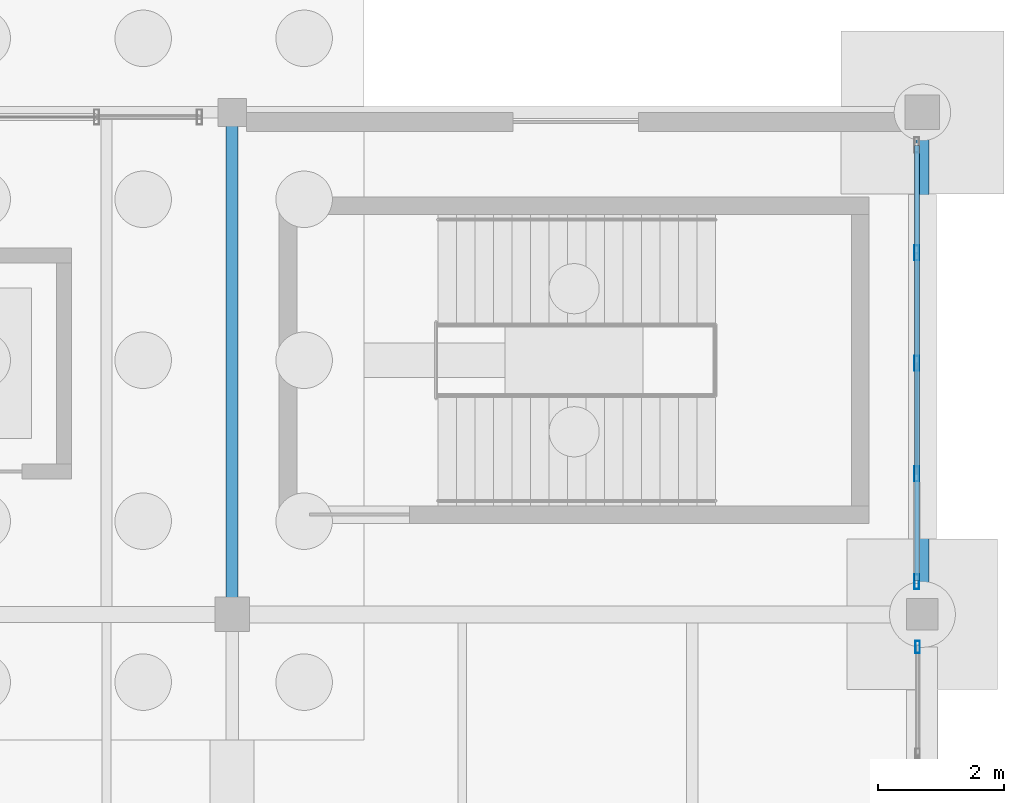
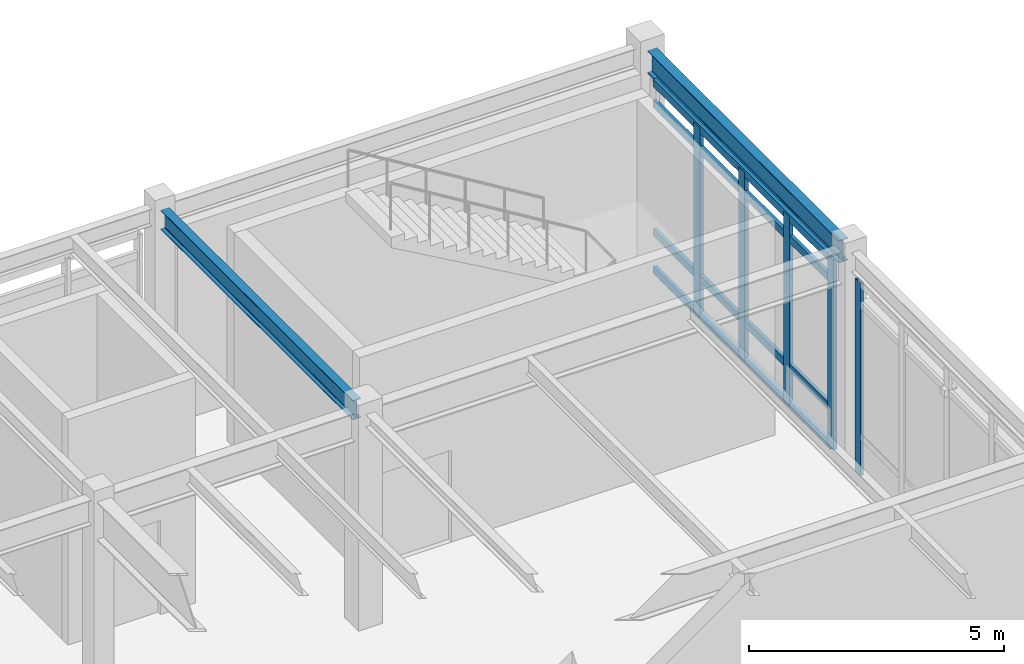
# One storey, part 137 of 203: 9 members, 2 beams, 2 elements without a shape of their own.
"""IFC4 building model written with IfcOpenShell, lengths in metres."""

import ifcopenshell
import ifcopenshell.guid

model = None  # the IFC model being written
_history = None  # IfcOwnerHistory: only IFC2X3 demands one
_inside = {}  # id of a spatial element -> (the spatial element, [elements in it])
_under = {}  # id of a project, library or spatial element -> (it, [spatial elements below it])
_declared = {}  # id of a project -> (the project, [libraries it declares])
_typed = {}  # id of a type object -> (the type object, [elements of that type])
_made_of = {}  # id of a material, layer set ... -> (it, [elements and type objects made of it])


def new_model(schema):
    """Start an empty IFC model of exactly this schema.

    Asked for "IFC4X3", IfcOpenShell would pick the latest addendum, in which some entities
    have other attributes; the version numbers below select the first issue.
    IFC2X3 requires an IfcOwnerHistory on every rooted entity: one is made here for all.
    """
    global model, _history
    if schema == "IFC4X3":
        model = ifcopenshell.file(schema_version=(4, 3, 0, 0))
    else:
        model = ifcopenshell.file(schema=schema)
    _inside.clear()
    _under.clear()
    _declared.clear()
    _typed.clear()
    _made_of.clear()
    _history = None
    if model.schema == "IFC2X3":
        org = make("IfcOrganization", Name="unknown")
        user = make(
            "IfcPersonAndOrganization",
            ThePerson=make("IfcPerson", FamilyName="unknown"),
            TheOrganization=org,
        )
        app = make(
            "IfcApplication",
            ApplicationDeveloper=org,
            Version="unknown",
            ApplicationFullName="unknown",
            ApplicationIdentifier="unknown",
        )
        _history = make(
            "IfcOwnerHistory",
            OwningUser=user,
            OwningApplication=app,
            ChangeAction="ADDED",
            CreationDate=0,
        )
    return model


def make(cls, **values):
    """One entity of the class cls with the attributes given. An attribute that is None is left unset."""
    return model.create_entity(
        cls, **{name: value for name, value in values.items() if value is not None}
    )


def rooted(cls, **values):
    """An entity with a GlobalId (a new one), such as an element, a storey or a relation."""
    return make(cls, GlobalId=ifcopenshell.guid.new(), OwnerHistory=_history, **values)


def si_unit(unit_type, name, prefix=None):
    """IfcSIUnit, for example si_unit("LENGTHUNIT", "METRE", prefix="MILLI")."""
    return make("IfcSIUnit", UnitType=unit_type, Prefix=prefix, Name=name)


def assignment(units):
    """IfcUnitAssignment: the units of a project."""
    return None if units is None else make("IfcUnitAssignment", Units=units)


def point(xyz):
    """IfcCartesianPoint."""
    return None if xyz is None else make("IfcCartesianPoint", Coordinates=xyz)


def direction(xyz):
    """IfcDirection."""
    return None if xyz is None else make("IfcDirection", DirectionRatios=xyz)


def frame(location, z_axis=None, x_axis=None):
    """IfcAxis2Placement3D, a coordinate frame: its origin and axes. An axis left out is left unset."""
    return make(
        "IfcAxis2Placement3D",
        Location=point(location),
        Axis=direction(z_axis),
        RefDirection=direction(x_axis),
    )


def frame_2d(location, x_axis=None):
    """IfcAxis2Placement2D, a coordinate frame in the plane: its origin and x axis."""
    return make(
        "IfcAxis2Placement2D", Location=point(location), RefDirection=direction(x_axis)
    )


def origin():
    """The frame at (0, 0, 0) with its axes left unset."""
    return frame((0.0, 0.0, 0.0))


def origin_2d():
    """The frame at (0, 0) in the plane with its x axis left unset."""
    return frame_2d((0.0, 0.0))


def place(relative_to, where):
    """IfcLocalPlacement: puts the frame where relative to a parent placement (None: the world)."""
    return make(
        "IfcLocalPlacement", PlacementRelTo=relative_to, RelativePlacement=where
    )


def context(
    kind, dimensions, precision=None, world=None, true_north=None, identifier=None
):
    """IfcGeometricRepresentationContext, for example the 3D "Model" context."""
    return make(
        "IfcGeometricRepresentationContext",
        ContextIdentifier=identifier,
        ContextType=kind,
        CoordinateSpaceDimension=dimensions,
        Precision=precision,
        WorldCoordinateSystem=world,
        TrueNorth=true_north,
    )


def subcontext(parent, identifier, kind, view, scale=None):
    """IfcGeometricRepresentationSubContext, for example "Body" below "Model"."""
    return make(
        "IfcGeometricRepresentationSubContext",
        ContextIdentifier=identifier,
        ContextType=kind,
        ParentContext=parent,
        TargetScale=scale,
        TargetView=view,
    )


def project(units=None, contexts=None):
    """IfcProject with its units and contexts."""
    return rooted(
        "IfcProject",
        Name="project",
        RepresentationContexts=contexts,
        UnitsInContext=assignment(units),
    )


def spatial(cls, under=None, at=None, **own):
    """A site, building, storey or space (cls), placed at a placement, below another one or the project."""
    s = rooted(cls, ObjectPlacement=at, **own)
    if under is not None:
        _under.setdefault(under.id(), (under, []))[1].append(s)
    return s


def profile(cls, at=None, kind="AREA", **sizes):
    """A parametric profile (cls). Its sizes go by their IFC names, for example OverallWidth=200.0."""
    return make(cls, ProfileType=kind, Position=at, **sizes)


def hollow_rectangle(**sizes):
    """IfcRectangleHollowProfileDef."""
    return profile("IfcRectangleHollowProfileDef", **sizes)


def i_section(**sizes):
    """IfcIShapeProfileDef."""
    return profile("IfcIShapeProfileDef", **sizes)


def extrude(swept, where, along, depth):
    """IfcExtrudedAreaSolid: the profile swept, set in the frame where, extruded along a direction by depth."""
    return make(
        "IfcExtrudedAreaSolid",
        SweptArea=swept,
        Position=where,
        ExtrudedDirection=direction(along),
        Depth=depth,
    )


def shape(context_of_items, identifier, shape_type, items):
    """IfcShapeRepresentation: the items that make up one representation, for example the "Body"."""
    return make(
        "IfcShapeRepresentation",
        ContextOfItems=context_of_items,
        RepresentationIdentifier=identifier,
        RepresentationType=shape_type,
        Items=items,
    )


def material(Name=None, Category=None):
    """IfcMaterial."""
    return make("IfcMaterial", Name=Name, Category=Category)


def material_profile(
    of_material, cross_section, Name=None, Category=None, Priority=None
):
    """IfcMaterialProfile: a cross section and its material."""
    return make(
        "IfcMaterialProfile",
        Name=Name,
        Material=of_material,
        Profile=cross_section,
        Priority=Priority,
        Category=Category,
    )


def profile_set(profiles, Name=None, composite=None):
    """IfcMaterialProfileSet."""
    return make(
        "IfcMaterialProfileSet",
        Name=Name,
        MaterialProfiles=profiles,
        CompositeProfile=composite,
    )


def made_of(thing, what):
    """Note that an element or type object is made of a material, layer set ...; save() writes the relation."""
    if what is not None:
        _made_of.setdefault(what.id(), (what, []))[1].append(thing)
    return thing


def type_object(cls, material=None, **own):
    """A type object (cls), such as IfcWallType, which elements share."""
    return made_of(rooted(cls, **own), material)


def element(
    cls,
    number,
    at=None,
    inside=None,
    cuts=None,
    type_object=None,
    material=None,
    context=None,
    identifier="Body",
    shape_type=None,
    held_by="IfcProductDefinitionShape",
    body=None,
    shapes=None,
    **own,
):
    """One element of the class cls, such as IfcWall. Its Tag is "e" and its number.

    at: its placement. inside: the storey or other place that contains it. cuts: it is an
    opening in that element (IfcRelVoidsElement). A single representation is given by context,
    identifier, shape_type and body (its items); several are given by shapes. held_by: the class
    of the entity that holds the representations. save() writes the other relations.
    """
    e = rooted(cls, Tag="e%d" % number, ObjectPlacement=at, **own)
    if body is not None:
        shapes = [shape(context, identifier, shape_type, body)]
    if shapes is not None:
        e.Representation = make(held_by, Representations=shapes)
    if inside is not None:
        _inside.setdefault(inside.id(), (inside, []))[1].append(e)
    if cuts is not None:
        rooted(
            "IfcRelVoidsElement", RelatingBuildingElement=cuts, RelatedOpeningElement=e
        )
    if type_object is not None:
        _typed.setdefault(type_object.id(), (type_object, []))[1].append(e)
    return made_of(e, material)


def aggregate(whole, parts):
    """IfcRelAggregates: a whole, such as a stair, and the parts it consists of."""
    return rooted("IfcRelAggregates", RelatingObject=whole, RelatedObjects=parts)


def save(model, path):
    """Write the relations noted so far, then the file.

    IfcRelAggregates (storeys below a building ...), IfcRelContainedInSpatialStructure (elements
    in a storey), IfcRelDefinesByType, IfcRelAssociatesMaterial and IfcRelDeclares: one each for
    every whole, place, type object, material and project.
    """
    for whole, parts in _under.values():
        aggregate(whole, parts)
    for where, things in _inside.values():
        rooted(
            "IfcRelContainedInSpatialStructure",
            RelatedElements=things,
            RelatingStructure=where,
        )
    for kind, things in _typed.values():
        rooted("IfcRelDefinesByType", RelatedObjects=things, RelatingType=kind)
    for what, things in _made_of.values():
        rooted("IfcRelAssociatesMaterial", RelatedObjects=things, RelatingMaterial=what)
    for by, libraries in _declared.values():
        rooted("IfcRelDeclares", RelatingContext=by, RelatedDefinitions=libraries)
    model.write(path)


model = new_model("IFC4")

# Units and contexts
model_context = context("Model", 3, precision=1e-05, world=origin(), true_north=direction((0.0, 1.0)))
body_context = subcontext(model_context, "Body", "Model", "MODEL_VIEW")
ifc_project = project(units=[si_unit("LENGTHUNIT", "METRE"), si_unit("AREAUNIT", "SQUARE_METRE"), si_unit("VOLUMEUNIT", "CUBIC_METRE"), si_unit("PLANEANGLEUNIT", "RADIAN"), si_unit("MASSUNIT", "GRAM", prefix="KILO"), si_unit("THERMODYNAMICTEMPERATUREUNIT", "KELVIN"), si_unit("POWERUNIT", "WATT")], contexts=[model_context])

# Site, building, storey
site_placement = place(None, origin())
site = spatial("IfcSite", under=ifc_project, at=site_placement, CompositionType="ELEMENT")
building_placement = place(site_placement, origin())
building = spatial("IfcBuilding", under=site, at=building_placement, Name="Tepalcoro Natatorium and Aquatics Centre", CompositionType="ELEMENT")
storey_placement = place(building_placement, origin())
storey = spatial("IfcBuildingStorey", under=building, at=storey_placement, Name="L00", CompositionType="ELEMENT", Elevation=0.0)

# Beam
ifc_material_1 = material(Name="Steel ASTM A992 Grade 50 (Fy 345 MPa)", Category="steel")
ifc_material_profile_1 = material_profile(ifc_material_1, i_section(OverallWidth=0.19091796875, OverallDepth=0.45703125, WebThickness=0.009033203125, FlangeThickness=0.013916015625, FilletRadius=0.013916015625, at=origin_2d()), Name="W18X50")
ifc_profile_set_1 = profile_set([ifc_material_profile_1], Name="Steel ASTM A992 Grade 50 (Fy 345 MPa)")
beam_type_1 = type_object("IfcBeamType", Name="BM_W18x50", PredefinedType="BEAM", material=ifc_profile_set_1)
beam_1_placement = place(storey_placement, frame((165.0, 110.260009765625, 4.896484375), z_axis=(0.0, 1.0, 0.0), x_axis=(-1.0, 0.0, 0.0)))
element("IfcBeam", 1, at=beam_1_placement, inside=storey, type_object=beam_type_1, Name="V5 L00 Grid Girder Y", PredefinedType="BEAM", context=body_context, shape_type="SweptSolid", body=[
    extrude(i_section(OverallWidth=0.19091796875, OverallDepth=0.45703125, WebThickness=0.009033203125, FlangeThickness=0.013916015625, FilletRadius=0.013916015625, at=origin_2d()), origin(), (0.0, 0.0, 1.0), 7.530029296875),
])

# Curtain wall, member
ifc_material_2 = material(Name="Bronze-Anodised Extruded Aluminium Alloy EN AW-6063 T6", Category="aluminium")
curtain_wall_type_1 = type_object("IfcCurtainWallType", Name="CW_LEAN_T2_EW", PredefinedType="USERDEFINED", material=ifc_material_2)
curtain_wall_1_placement = place(storey_placement, origin())
curtain_wall_1 = element("IfcCurtainWall", 2, at=curtain_wall_1_placement, inside=storey, type_object=curtain_wall_type_1, Name="V5 L00 E Unitised Curtain Wall Bay 3", ObjectType="FACETED SOLAR GLAZING", PredefinedType="USERDEFINED")
ifc_material_profile_2 = material_profile(ifc_material_2, hollow_rectangle(XDim=0.070068359375, YDim=0.199951171875, WallThickness=0.0048828125, at=origin_2d()), Name="AL70X200X5")
ifc_profile_set_2 = profile_set([ifc_material_profile_2], Name="Bronze-Anodised Extruded Aluminium Alloy EN AW-6063 T6")
member_type_1 = type_object("IfcMemberType", Name="CW_MUL_70x200", PredefinedType="MULLION", material=ifc_profile_set_2)
member_1_placement = place(storey_placement, frame((175.923828125, 109.47998046875, 0.02001953125), z_axis=(0.0, 0.0, 1.0), x_axis=(1.0, 0.0, 0.0)))
member_1 = element("IfcMember", 3, at=member_1_placement, type_object=member_type_1, Name="CW_LEAN_T2_EW Curtain Wall Mullion", PredefinedType="MULLION", context=body_context, shape_type="SweptSolid", body=[
    extrude(hollow_rectangle(XDim=0.070068359375, YDim=0.199951171875, WallThickness=0.0048828125, at=origin_2d()), origin(), (0.0, 0.0, 1.0), 4.60986328125),
])
aggregate(curtain_wall_1, [member_1])

# Curtain wall, members
curtain_wall_type_2 = type_object("IfcCurtainWallType", Name="CW_V1_PLINTH", PredefinedType="USERDEFINED", material=ifc_material_2)
curtain_wall_2_placement = place(storey_placement, origin())
curtain_wall_2 = element("IfcCurtainWall", 4, at=curtain_wall_2_placement, inside=storey, type_object=curtain_wall_type_2, Name="V5 L00 E Unitised Curtain Wall Bay 4", ObjectType="UNITISED STOREFRONT", PredefinedType="USERDEFINED")
ifc_material_profile_3 = material_profile(ifc_material_2, hollow_rectangle(XDim=0.080078125, YDim=0.239990234375, WallThickness=0.0048828125, at=origin_2d()), Name="AL80X240X5")
ifc_profile_set_3 = profile_set([ifc_material_profile_3], Name="Bronze-Anodised Extruded Aluminium Alloy EN AW-6063 T6")
member_type_2 = type_object("IfcMemberType", Name="CW_MUL_80x240", PredefinedType="MULLION", material=ifc_profile_set_3)
member_2_placement = place(storey_placement, frame((175.909912109375, 110.52001953125, 0.02001953125), z_axis=(0.0, 0.0, 1.0), x_axis=(1.0, 0.0, 0.0)))
member_2 = element("IfcMember", 5, at=member_2_placement, type_object=member_type_2, Name="CW_V1_PLINTH Curtain Wall Mullion", PredefinedType="MULLION", context=body_context, shape_type="SweptSolid", body=[
    extrude(hollow_rectangle(XDim=0.080078125, YDim=0.239990234375, WallThickness=0.0048828125, at=origin_2d()), origin(), (0.0, 0.0, 1.0), 4.533935546875),
])
member_3_placement = place(storey_placement, frame((175.909912109375, 112.239990234375, 0.02001953125), z_axis=(0.0, 0.0, 1.0), x_axis=(1.0, 0.0, 0.0)))
member_3 = element("IfcMember", 6, at=member_3_placement, type_object=member_type_2, Name="CW_V1_PLINTH Curtain Wall Mullion", PredefinedType="MULLION", context=body_context, shape_type="SweptSolid", body=[
    extrude(hollow_rectangle(XDim=0.080078125, YDim=0.239990234375, WallThickness=0.0048828125, at=origin_2d()), origin(), (0.0, 0.0, 1.0), 4.533935546875),
])
member_4_placement = place(storey_placement, frame((175.909912109375, 114.0, 0.02001953125), z_axis=(0.0, 0.0, 1.0), x_axis=(1.0, 0.0, 0.0)))
member_4 = element("IfcMember", 7, at=member_4_placement, type_object=member_type_2, Name="CW_V1_PLINTH Curtain Wall Mullion", PredefinedType="MULLION", context=body_context, shape_type="SweptSolid", body=[
    extrude(hollow_rectangle(XDim=0.080078125, YDim=0.239990234375, WallThickness=0.0048828125, at=origin_2d()), origin(), (0.0, 0.0, 1.0), 4.533935546875),
])
member_5_placement = place(storey_placement, frame((175.909912109375, 115.760009765625, 0.02001953125), z_axis=(0.0, 0.0, 1.0), x_axis=(1.0, 0.0, 0.0)))
member_5 = element("IfcMember", 8, at=member_5_placement, type_object=member_type_2, Name="CW_V1_PLINTH Curtain Wall Mullion", PredefinedType="MULLION", context=body_context, shape_type="SweptSolid", body=[
    extrude(hollow_rectangle(XDim=0.080078125, YDim=0.239990234375, WallThickness=0.0048828125, at=origin_2d()), origin(), (0.0, 0.0, 1.0), 4.533935546875),
])
ifc_material_profile_4 = material_profile(ifc_material_2, hollow_rectangle(XDim=0.080078125, YDim=0.179931640625, WallThickness=0.0048828125, at=origin_2d()), Name="AL80X180X5")
ifc_profile_set_4 = profile_set([ifc_material_profile_4], Name="Bronze-Anodised Extruded Aluminium Alloy EN AW-6063 T6")
member_type_3 = type_object("IfcMemberType", Name="CW_TRN_80x180", PredefinedType="USERDEFINED", material=ifc_profile_set_4)
member_6_placement = place(storey_placement, frame((175.909912109375, 110.530029296875, 0.050048828125), z_axis=(0.0, 1.0, 0.0), x_axis=(-1.0, 0.0, 0.0)))
member_6 = element("IfcMember", 9, at=member_6_placement, type_object=member_type_3, Name="CW_V1_PLINTH Curtain Wall Transom", ObjectType="TRANSOM", PredefinedType="USERDEFINED", context=body_context, shape_type="SweptSolid", body=[
    extrude(hollow_rectangle(XDim=0.080078125, YDim=0.179931640625, WallThickness=0.0048828125, at=origin_2d()), origin(), (0.0, 0.0, 1.0), 6.93994140625),
])
member_7_placement = place(storey_placement, frame((175.909912109375, 110.530029296875, 0.949951171875), z_axis=(0.0, 1.0, 0.0), x_axis=(-1.0, 0.0, 0.0)))
member_7 = element("IfcMember", 10, at=member_7_placement, type_object=member_type_3, Name="CW_V1_PLINTH Curtain Wall Transom", ObjectType="TRANSOM", PredefinedType="USERDEFINED", context=body_context, shape_type="SweptSolid", body=[
    extrude(hollow_rectangle(XDim=0.080078125, YDim=0.179931640625, WallThickness=0.0048828125, at=origin_2d()), origin(), (0.0, 0.0, 1.0), 6.93994140625),
])
member_8_placement = place(storey_placement, frame((175.909912109375, 110.530029296875, 4.02392578125), z_axis=(0.0, 1.0, 0.0), x_axis=(-1.0, 0.0, 0.0)))
member_8 = element("IfcMember", 11, at=member_8_placement, type_object=member_type_3, Name="CW_V1_PLINTH Curtain Wall Transom", ObjectType="TRANSOM", PredefinedType="USERDEFINED", context=body_context, shape_type="SweptSolid", body=[
    extrude(hollow_rectangle(XDim=0.080078125, YDim=0.179931640625, WallThickness=0.0048828125, at=origin_2d()), origin(), (0.0, 0.0, 1.0), 6.93994140625),
])
member_9_placement = place(storey_placement, frame((175.909912109375, 110.530029296875, 4.52392578125), z_axis=(0.0, 1.0, 0.0), x_axis=(-1.0, 0.0, 0.0)))
member_9 = element("IfcMember", 12, at=member_9_placement, type_object=member_type_3, Name="CW_V1_PLINTH Curtain Wall Transom", ObjectType="TRANSOM", PredefinedType="USERDEFINED", context=body_context, shape_type="SweptSolid", body=[
    extrude(hollow_rectangle(XDim=0.080078125, YDim=0.179931640625, WallThickness=0.0048828125, at=origin_2d()), origin(), (0.0, 0.0, 1.0), 6.93994140625),
])
aggregate(curtain_wall_2, [member_2, member_3, member_4, member_5, member_6, member_7, member_8, member_9])

# Beam
ifc_material_profile_5 = material_profile(ifc_material_1, i_section(OverallWidth=0.2099609375, OverallDepth=0.535888671875, WebThickness=0.010986328125, FlangeThickness=0.01708984375, FilletRadius=0.013916015625, at=origin_2d()), Name="W21X68")
ifc_profile_set_5 = profile_set([ifc_material_profile_5], Name="Steel ASTM A992 Grade 50 (Fy 345 MPa)")
beam_type_2 = type_object("IfcBeamType", Name="SP_W21x68", PredefinedType="SPANDREL", material=ifc_profile_set_5)
beam_2_placement = place(storey_placement, frame((176.0, 110.235107421875, 4.85693359375), z_axis=(0.0, 1.0, 0.0), x_axis=(-1.0, 0.0, 0.0)))
element("IfcBeam", 13, at=beam_2_placement, inside=storey, type_object=beam_type_2, Name="V5 L00 Grid Girder Y", PredefinedType="SPANDREL", context=body_context, shape_type="SweptSolid", body=[
    extrude(i_section(OverallWidth=0.2099609375, OverallDepth=0.535888671875, WebThickness=0.010986328125, FlangeThickness=0.01708984375, FilletRadius=0.013916015625, at=origin_2d()), origin(), (0.0, 0.0, 1.0), 7.5048828125),
])

save(model, "model.ifc")
